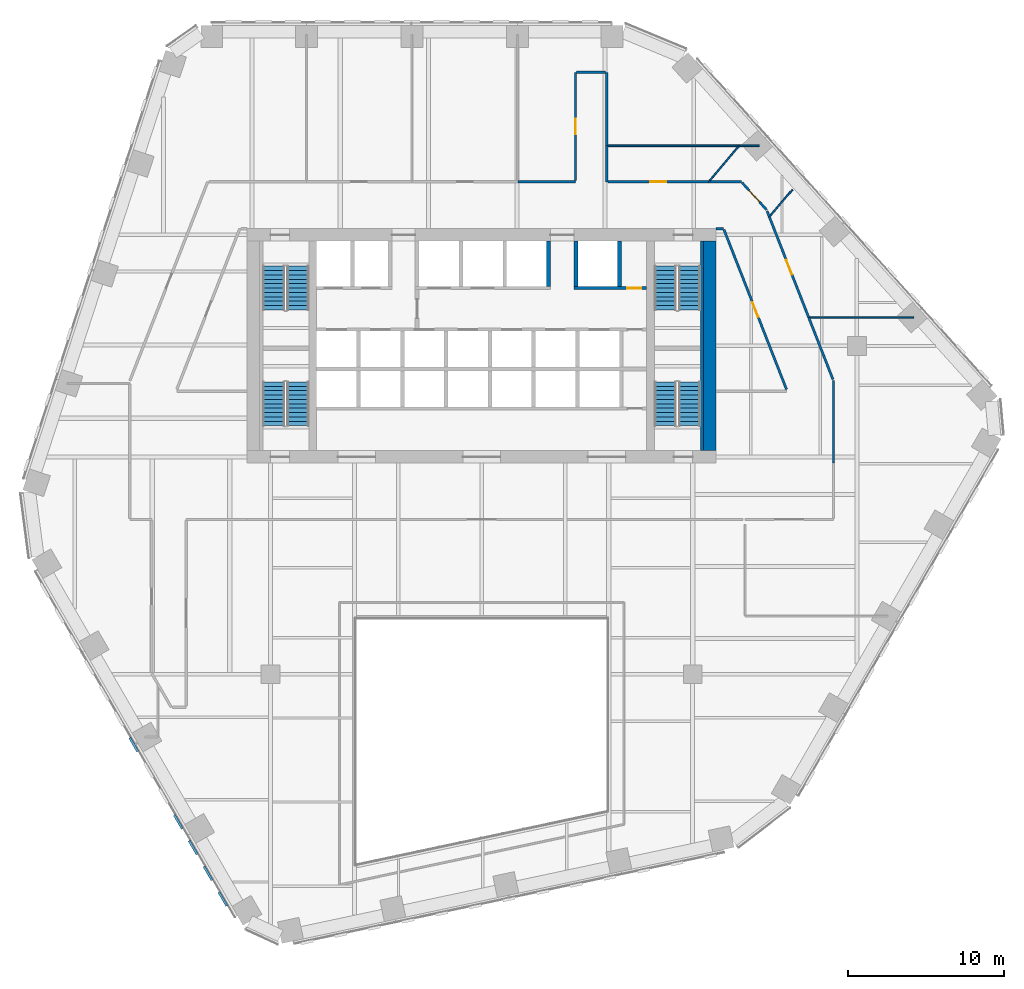
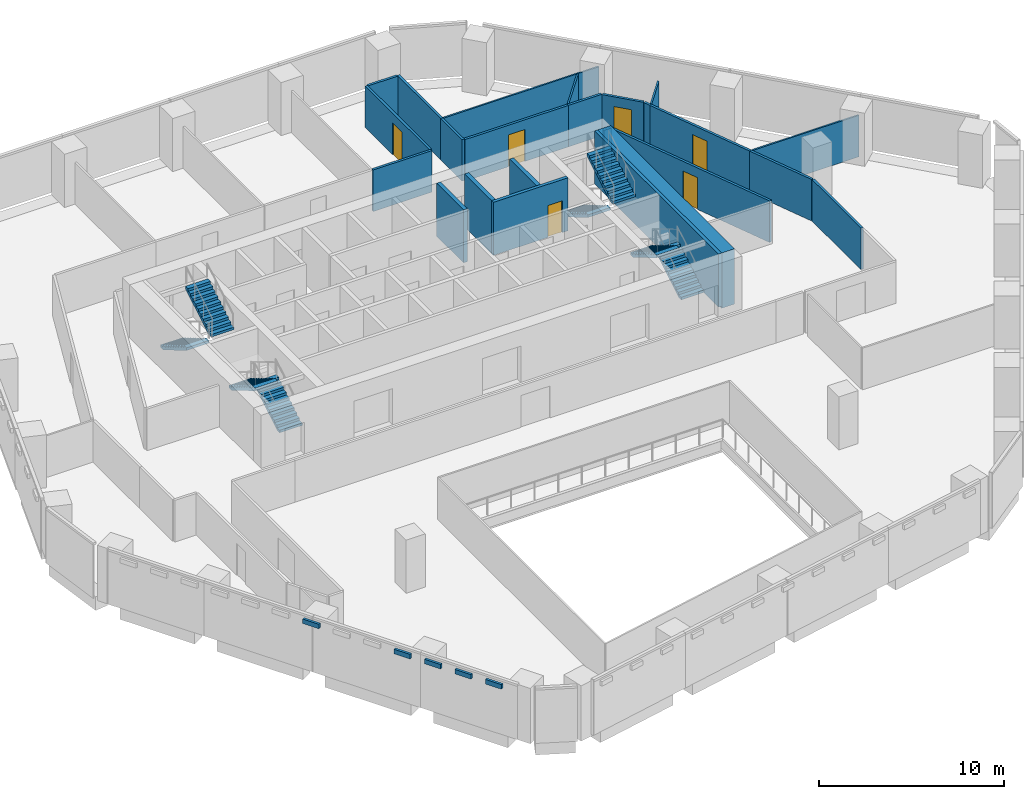
# One storey, part 13 of 17: 25 walls, 8 stair flights, 6 doors, 5 discrete accessories, 6 openings, 4 elements without a shape of their own.
"""IFC4 building model written with IfcOpenShell, lengths in metres."""

from ifc_helpers import new_model, si_unit, direction, frame, frame_2d, origin, origin_2d, place, context, subcontext, project, spatial, polyline, rectangle, outline, extrude, material, layer, layer_set, type_object, element, fill, aggregate, save


model = new_model("IFC4")

# Units and contexts
model_context = context("Model", 3, precision=1e-05, world=origin(), true_north=direction((0.0, 1.0)))
body_context = subcontext(model_context, "Body", "Model", "MODEL_VIEW")
ifc_project = project(units=[si_unit("LENGTHUNIT", "METRE"), si_unit("AREAUNIT", "SQUARE_METRE"), si_unit("VOLUMEUNIT", "CUBIC_METRE"), si_unit("PLANEANGLEUNIT", "RADIAN"), si_unit("MASSUNIT", "GRAM", prefix="KILO")], contexts=[model_context])

# Site, building, storey
site_placement = place(None, origin())
site = spatial("IfcSite", under=ifc_project, at=site_placement, CompositionType="ELEMENT")
building_placement = place(site_placement, origin())
building = spatial("IfcBuilding", under=site, at=building_placement, Name="Isthmus Gate Tower", CompositionType="ELEMENT")
storey_placement = place(building_placement, frame((0.0, 0.0, 126.14990234375)))
storey = spatial("IfcBuildingStorey", under=building, at=storey_placement, Name="L30", CompositionType="ELEMENT", Elevation=126.14990234375)

# Walls
ifc_material_1 = material(Name="Gypsum board on steel studs, fire-rated", Category="steel")
ifc_layer_1 = layer(ifc_material_1, 0.14990234375)
ifc_layer_set_1 = layer_set([ifc_layer_1], Name="CORRIDOR WALL 150 60 MIN")
wall_type_1 = type_object("IfcWallType", Name="CORRIDOR WALL 150 60 MIN", PredefinedType="PARTITIONING", material=ifc_layer_set_1)
wall_1_placement = place(storey_placement, frame((8.0, 25.0, 0.0), z_axis=(0.0, 0.0, 1.0), x_axis=(0.0, -1.0, 0.0)))
element("IfcWall", 1, at=wall_1_placement, inside=storey, type_object=wall_type_1, Name="L30 Corridor Wall 150 60 Min", PredefinedType="PARTITIONING", context=body_context, shape_type="SweptSolid", body=[
    extrude(rectangle(XDim=4.69189453125, YDim=0.14990234375, at=frame_2d((2.345947265625, 0.0))), origin(), (0.0, 0.0, 1.0), 2.7412109375),
])
wall_2_placement = place(storey_placement, frame((15.47607421875, 15.0, 0.0), z_axis=(0.0, 0.0, 1.0), x_axis=(-1.0, 0.0, 0.0)))
element("IfcWall", 2, at=wall_2_placement, inside=storey, type_object=wall_type_1, Name="L30 Corridor Wall 150 60 Min", PredefinedType="PARTITIONING", context=body_context, shape_type="SweptSolid", body=[
    extrude(rectangle(XDim=0.47607421875, YDim=0.14990234375, at=frame_2d((0.238037109375, 0.0))), origin(), (0.0, 0.0, 1.0), 2.7412109375),
])

# Wall, opening, door
wall_3_placement = place(storey_placement, frame((19.5, 4.717041015625, 0.0), z_axis=(0.0, 0.0, 1.0), x_axis=(-0.364410260026, 0.931238509936, 0.0)))
wall_3 = element("IfcWall", 3, at=wall_3_placement, inside=storey, type_object=wall_type_1, Name="L30 Corridor Wall 150 60 Min", PredefinedType="PARTITIONING", context=body_context, shape_type="SweptSolid", body=[
    extrude(rectangle(XDim=10.96728515625, YDim=0.14990234375, at=frame_2d((5.483642578125, 0.0))), origin(), (0.0, 0.0, 1.0), 2.7412109375),
])
opening_1_placement = place(wall_3_placement, frame((4.983642578125, 0.0, 0.0)))
opening_1 = element("IfcOpeningElement", 4, at=opening_1_placement, cuts=wall_3, Name="Opening DT-T3A-06", PredefinedType="OPENING", context=body_context, shape_type="SweptSolid", body=[
    extrude(rectangle(XDim=1.0, YDim=2.10009765625, at=frame_2d((0.5, 1.050048828125))), frame((0.0, 0.0849609375, 0.0), z_axis=(0.0, -1.0, 0.0), x_axis=(1.0, 0.0, 0.0)), (0.0, 0.0, 1.0), 0.169921875),
])
ifc_material_2 = material(Name="Solid core timber door leaf, fire-rated", Category="wood")
door_type_1 = type_object("IfcDoorType", Name="FIRE DOOR ROOM 1000 X 2100 60 MIN", OperationType="SINGLE_SWING_LEFT", PredefinedType="DOOR", material=ifc_material_2)
door_1_placement = place(opening_1_placement, origin())
door_1 = element("IfcDoor", 5, at=door_1_placement, inside=storey, type_object=door_type_1, Name="L30 room door", OperationType="SINGLE_SWING_RIGHT", OverallHeight=2.10009765625, OverallWidth=1.0, PredefinedType="DOOR", context=body_context, shape_type="SweptSolid", body=[
    extrude(rectangle(XDim=1.0, YDim=2.10009765625, at=frame_2d((0.5, 1.050048828125))), frame((0.0, 0.02490234375, 0.0), z_axis=(0.0, -1.0, 0.0), x_axis=(1.0, 0.0, 0.0)), (0.0, 0.0, 1.0), 0.050048828125),
])
fill(opening_1, door_1)

# Walls
wall_4_placement = place(storey_placement, frame((22.5, 5.282958984375, 0.0), z_axis=(0.0, 0.0, 1.0), x_axis=(0.0, -1.0, 0.0)))
element("IfcWall", 6, at=wall_4_placement, inside=storey, type_object=wall_type_1, Name="L30 Corridor Wall 150 60 Min", PredefinedType="PARTITIONING", context=body_context, shape_type="SweptSolid", body=[
    extrude(rectangle(XDim=5.282958984375, YDim=0.14990234375, at=frame_2d((2.6416015625, 0.0))), origin(), (0.0, 0.0, 1.0), 2.7412109375),
])
wall_5_placement = place(storey_placement, frame((8.0, 20.30810546875, 0.0), z_axis=(0.0, 0.0, 1.0), x_axis=(0.0, -1.0, 0.0)))
element("IfcWall", 7, at=wall_5_placement, inside=storey, type_object=wall_type_1, Name="L30 Corridor Wall 150 60 Min", PredefinedType="PARTITIONING", context=body_context, shape_type="SweptSolid", body=[
    extrude(rectangle(XDim=2.30810546875, YDim=0.14990234375, at=frame_2d((1.154052734375, 0.0))), origin(), (0.0, 0.0, 1.0), 2.7412109375),
])
wall_6_placement = place(storey_placement, frame((2.337890625, 18.0, 0.0), z_axis=(0.0, 0.0, 1.0), x_axis=(1.0, 0.0, 0.0)))
element("IfcWall", 8, at=wall_6_placement, inside=storey, type_object=wall_type_1, Name="L30 Corridor Wall 150 60 Min", PredefinedType="PARTITIONING", context=body_context, shape_type="SweptSolid", body=[
    extrude(rectangle(XDim=3.662109375, YDim=0.14990234375, at=frame_2d((1.8310546875, 0.0))), origin(), (0.0, 0.0, 1.0), 2.7412109375),
])

# Wall, opening, door
wall_7_placement = place(storey_placement, frame((6.0, 18.074951171875, 0.0), z_axis=(0.0, 0.0, 1.0), x_axis=(0.0, 1.0, 0.0)))
wall_7 = element("IfcWall", 9, at=wall_7_placement, inside=storey, type_object=wall_type_1, Name="L30 Corridor Wall 150 60 Min", PredefinedType="PARTITIONING", context=body_context, shape_type="SweptSolid", body=[
    extrude(rectangle(XDim=6.925048828125, YDim=0.14990234375, at=frame_2d((3.46240234375, 0.0))), origin(), (0.0, 0.0, 1.0), 2.7412109375),
])
opening_2_placement = place(wall_7_placement, frame((2.96240234375, 0.0, 0.0)))
opening_2 = element("IfcOpeningElement", 10, at=opening_2_placement, cuts=wall_7, Name="Opening DT-T3A-03", PredefinedType="OPENING", context=body_context, shape_type="SweptSolid", body=[
    extrude(rectangle(XDim=1.0, YDim=2.10009765625, at=frame_2d((0.5, 1.050048828125))), frame((0.0, 0.0849609375, 0.0), z_axis=(0.0, -1.0, 0.0), x_axis=(1.0, 0.0, 0.0)), (0.0, 0.0, 1.0), 0.169921875),
])
door_2_placement = place(opening_2_placement, origin())
door_2 = element("IfcDoor", 11, at=door_2_placement, inside=storey, type_object=door_type_1, Name="L30 room door", OperationType="SINGLE_SWING_RIGHT", OverallHeight=2.10009765625, OverallWidth=1.0, PredefinedType="DOOR", context=body_context, shape_type="SweptSolid", body=[
    extrude(rectangle(XDim=1.0, YDim=2.10009765625, at=frame_2d((0.5, 1.050048828125))), frame((0.0, 0.02490234375, 0.0), z_axis=(0.0, -1.0, 0.0), x_axis=(1.0, 0.0, 0.0)), (0.0, 0.0, 1.0), 0.050048828125),
])
fill(opening_2, door_2)

# Walls
wall_8_placement = place(storey_placement, frame((6.074951171875, 25.0, 0.0), z_axis=(0.0, 0.0, 1.0), x_axis=(1.0, 0.0, 0.0)))
element("IfcWall", 12, at=wall_8_placement, inside=storey, type_object=wall_type_1, Name="L30 Corridor Wall 150 60 Min", PredefinedType="PARTITIONING", context=body_context, shape_type="SweptSolid", body=[
    extrude(rectangle(XDim=1.85009765625, YDim=0.14990234375, at=frame_2d((0.925048828125, 0.0))), origin(), (0.0, 0.0, 1.0), 2.7412109375),
])
wall_9_placement = place(storey_placement, frame((20.9189453125, 9.322998046875, 0.0), z_axis=(0.0, 0.0, 1.0), x_axis=(0.364429576393, -0.931230950865, 0.0)))
element("IfcWall", 13, at=wall_9_placement, inside=storey, type_object=wall_type_1, Name="L30 Corridor Wall 150 60 Min", PredefinedType="PARTITIONING", context=body_context, shape_type="SweptSolid", body=[
    extrude(rectangle(XDim=4.263427734375, YDim=0.14990234375, at=frame_2d((2.1318359375, 0.0))), origin(), (0.0, 0.0, 1.0), 2.7412109375),
])

# Wall, opening, door
wall_10_placement = place(storey_placement, frame((18.39990234375, 15.760009765625, 0.0), z_axis=(0.0, 0.0, 1.0), x_axis=(0.364425982763, -0.931232357195, 0.0)))
wall_10 = element("IfcWall", 14, at=wall_10_placement, inside=storey, type_object=wall_type_1, Name="L30 Corridor Wall 150 60 Min", PredefinedType="PARTITIONING", context=body_context, shape_type="SweptSolid", body=[
    extrude(rectangle(XDim=6.912353515625, YDim=0.14990234375, at=frame_2d((3.4560546875, 0.0))), origin(), (0.0, 0.0, 1.0), 2.7412109375),
])
opening_3_placement = place(wall_10_placement, frame((2.956298828125, 0.0, 0.0)))
opening_3 = element("IfcOpeningElement", 15, at=opening_3_placement, cuts=wall_10, Name="Opening DT-T3A-11", PredefinedType="OPENING", context=body_context, shape_type="SweptSolid", body=[
    extrude(rectangle(XDim=1.0, YDim=2.10009765625, at=frame_2d((0.5, 1.050048828125))), frame((0.0, 0.0849609375, 0.0), z_axis=(0.0, -1.0, 0.0), x_axis=(1.0, 0.0, 0.0)), (0.0, 0.0, 1.0), 0.169921875),
])
door_3_placement = place(opening_3_placement, origin())
door_3 = element("IfcDoor", 16, at=door_3_placement, inside=storey, type_object=door_type_1, Name="L30 room door", OperationType="SINGLE_SWING_RIGHT", OverallHeight=2.10009765625, OverallWidth=1.0, PredefinedType="DOOR", context=body_context, shape_type="SweptSolid", body=[
    extrude(rectangle(XDim=1.0, YDim=2.10009765625, at=frame_2d((0.5, 1.050048828125))), frame((0.0, 0.02490234375, 0.0), z_axis=(0.0, -1.0, 0.0), x_axis=(1.0, 0.0, 0.0)), (0.0, 0.0, 1.0), 0.050048828125),
])
fill(opening_3, door_3)

# Wall
wall_11_placement = place(storey_placement, frame((14.51708984375, 18.0, 0.0), z_axis=(0.0, 0.0, 1.0), x_axis=(1.0, 0.0, 0.0)))
element("IfcWall", 17, at=wall_11_placement, inside=storey, type_object=wall_type_1, Name="L30 Corridor Wall 150 60 Min", PredefinedType="PARTITIONING", context=body_context, shape_type="SweptSolid", body=[
    extrude(rectangle(XDim=2.093017578125, YDim=0.14990234375, at=frame_2d((1.04638671875, 0.0))), origin(), (0.0, 0.0, 1.0), 2.7412109375),
])

# Wall, opening, door
wall_12_placement = place(storey_placement, frame((16.66015625, 17.9443359375, 0.0), z_axis=(0.0, 0.0, 1.0), x_axis=(0.669103043777, -0.743169642012, 0.0)))
wall_12 = element("IfcWall", 18, at=wall_12_placement, inside=storey, type_object=wall_type_1, Name="L30 Corridor Wall 150 60 Min", PredefinedType="PARTITIONING", context=body_context, shape_type="SweptSolid", body=[
    extrude(rectangle(XDim=2.34033203125, YDim=0.14990234375, at=frame_2d((1.170166015625, 0.0))), origin(), (0.0, 0.0, 1.0), 2.7412109375),
])
opening_4_placement = place(wall_12_placement, frame((0.670166015625, 0.0, 0.0)))
opening_4 = element("IfcOpeningElement", 19, at=opening_4_placement, cuts=wall_12, Name="Opening DT-T3A-12", PredefinedType="OPENING", context=body_context, shape_type="SweptSolid", body=[
    extrude(rectangle(XDim=1.0, YDim=2.10009765625, at=frame_2d((0.5, 1.050048828125))), frame((0.0, 0.0849609375, 0.0), z_axis=(0.0, -1.0, 0.0), x_axis=(1.0, 0.0, 0.0)), (0.0, 0.0, 1.0), 0.169921875),
])
door_4_placement = place(opening_4_placement, origin())
door_4 = element("IfcDoor", 20, at=door_4_placement, inside=storey, type_object=door_type_1, Name="L30 room door", OperationType="SINGLE_SWING_RIGHT", OverallHeight=2.10009765625, OverallWidth=1.0, PredefinedType="DOOR", context=body_context, shape_type="SweptSolid", body=[
    extrude(rectangle(XDim=1.0, YDim=2.10009765625, at=frame_2d((0.5, 1.050048828125))), frame((0.0, 0.02490234375, 0.0), z_axis=(0.0, -1.0, 0.0), x_axis=(1.0, 0.0, 0.0)), (0.0, 0.0, 1.0), 0.050048828125),
])
fill(opening_4, door_4)

# Wall
wall_13_placement = place(storey_placement, frame((18.25341796875, 16.135009765625, 0.0), z_axis=(0.0, 0.0, 1.0), x_axis=(0.36385052714, -0.93145734948, 0.0)))
element("IfcWall", 21, at=wall_13_placement, inside=storey, type_object=wall_type_1, Name="L30 Corridor Wall 150 60 Min", PredefinedType="PARTITIONING", context=body_context, shape_type="SweptSolid", body=[
    extrude(rectangle(XDim=0.402587890625, YDim=0.14990234375, at=frame_2d((0.201171875, 0.0))), origin(), (0.0, 0.0, 1.0), 2.7412109375),
])

# Wall, opening, door
wall_14_placement = place(storey_placement, frame((8.074951171875, 18.0, 0.0), z_axis=(0.0, 0.0, 1.0), x_axis=(1.0, 0.0, 0.0)))
wall_14 = element("IfcWall", 22, at=wall_14_placement, inside=storey, type_object=wall_type_1, Name="L30 Corridor Wall 150 60 Min", PredefinedType="PARTITIONING", context=body_context, shape_type="SweptSolid", body=[
    extrude(rectangle(XDim=6.442138671875, YDim=0.14990234375, at=frame_2d((3.22119140625, 0.0))), origin(), (0.0, 0.0, 1.0), 2.7412109375),
])
opening_5_placement = place(wall_14_placement, frame((2.720947265625, 0.0, 0.0)))
opening_5 = element("IfcOpeningElement", 23, at=opening_5_placement, cuts=wall_14, Name="Opening DT-T3A-13", PredefinedType="OPENING", context=body_context, shape_type="SweptSolid", body=[
    extrude(rectangle(XDim=1.0, YDim=2.10009765625, at=frame_2d((0.5, 1.050048828125))), frame((0.0, 0.0849609375, 0.0), z_axis=(0.0, -1.0, 0.0), x_axis=(1.0, 0.0, 0.0)), (0.0, 0.0, 1.0), 0.169921875),
])
door_5_placement = place(opening_5_placement, origin())
door_5 = element("IfcDoor", 24, at=door_5_placement, inside=storey, type_object=door_type_1, Name="L30 room door", OperationType="SINGLE_SWING_RIGHT", OverallHeight=2.10009765625, OverallWidth=1.0, PredefinedType="DOOR", context=body_context, shape_type="SweptSolid", body=[
    extrude(rectangle(XDim=1.0, YDim=2.10009765625, at=frame_2d((0.5, 1.050048828125))), frame((0.0, 0.02490234375, 0.0), z_axis=(0.0, -1.0, 0.0), x_axis=(1.0, 0.0, 0.0)), (0.0, 0.0, 1.0), 0.050048828125),
])
fill(opening_5, door_5)

# Walls
ifc_material_3 = material(Name="Concrete f'c 60 MPa", Category="concrete")
ifc_layer_2 = layer(ifc_material_3, 0.800048828125)
ifc_layer_set_2 = layer_set([ifc_layer_2], Name="RC CORE WALL 800 F'C 60")
wall_type_2 = type_object("IfcWallType", Name="RC CORE WALL 800 F'C 60", PredefinedType="SOLIDWALL", material=ifc_layer_set_2)
wall_15_placement = place(storey_placement, frame((14.60009765625, 0.800048828125, -0.14990234375), z_axis=(0.0, 0.0, 1.0), x_axis=(0.0, 1.0, 0.0)))
element("IfcWall", 25, at=wall_15_placement, inside=storey, type_object=wall_type_2, Name="str-corewall-L30-E", PredefinedType="SOLIDWALL", context=body_context, shape_type="SweptSolid", body=[
    extrude(rectangle(XDim=13.39990234375, YDim=0.800048828125, at=frame_2d((6.699951171875, 0.0))), origin(), (0.0, 0.0, 1.0), 3.64990234375),
])
ifc_material_4 = material(Name="Gypsum board on steel studs, fire-rated", Category="steel")
ifc_layer_3 = layer(ifc_material_4, 0.10009765625)
ifc_layer_set_3 = layer_set([ifc_layer_3], Name="ROOM PARTITION 100 30 MIN")
wall_type_3 = type_object("IfcWallType", Name="ROOM PARTITION 100 30 MIN", PredefinedType="PARTITIONING", material=ifc_layer_set_3)
wall_16_placement = place(storey_placement, frame((16.47900390625, 20.30810546875, 0.0), z_axis=(0.0, 0.0, 1.0), x_axis=(1.0, 0.0, 0.0)))
element("IfcWall", 26, at=wall_16_placement, inside=storey, type_object=wall_type_3, Name="L30 Room Partition 100 30 Min", PredefinedType="PARTITIONING", context=body_context, shape_type="SweptSolid", body=[
    extrude(rectangle(XDim=1.282958984375, YDim=0.10009765625, at=frame_2d((0.6416015625, 0.0))), origin(), (0.0, 0.0, 1.0), 2.7412109375),
])
wall_17_placement = place(storey_placement, frame((8.074951171875, 20.30810546875, 0.0), z_axis=(0.0, 0.0, 1.0), x_axis=(1.0, 0.0, 0.0)))
element("IfcWall", 27, at=wall_17_placement, inside=storey, type_object=wall_type_3, Name="L30 Room Partition 100 30 Min", PredefinedType="PARTITIONING", context=body_context, shape_type="SweptSolid", body=[
    extrude(rectangle(XDim=8.404052734375, YDim=0.10009765625, at=frame_2d((4.2021484375, 0.0))), origin(), (0.0, 0.0, 1.0), 2.7412109375),
])
wall_18_placement = place(storey_placement, frame((20.99951171875, 9.322998046875, 0.0), z_axis=(0.0, 0.0, 1.0), x_axis=(1.0, 0.0, 0.0)))
element("IfcWall", 28, at=wall_18_placement, inside=storey, type_object=wall_type_3, Name="L30 Room Partition 100 30 Min", PredefinedType="PARTITIONING", context=body_context, shape_type="SweptSolid", body=[
    extrude(rectangle(XDim=6.652587890625, YDim=0.10009765625, at=frame_2d((3.326171875, 0.0))), origin(), (0.0, 0.0, 1.0), 2.7412109375),
])
wall_19_placement = place(storey_placement, frame((18.455078125, 15.824951171875, 0.0), z_axis=(0.0, 0.0, 1.0), x_axis=(0.647780060511, 0.761827403815, 0.0)))
element("IfcWall", 29, at=wall_19_placement, inside=storey, type_object=wall_type_3, Name="L30 Room Partition 100 30 Min", PredefinedType="PARTITIONING", context=body_context, shape_type="SweptSolid", body=[
    extrude(rectangle(XDim=2.20703125, YDim=0.10009765625, at=frame_2d((1.103515625, 0.0))), origin(), (0.0, 0.0, 1.0), 2.7412109375),
])
wall_20_placement = place(storey_placement, frame((14.580810546875, 18.074951171875, 0.0), z_axis=(0.0, 0.0, 1.0), x_axis=(0.6476632602, 0.761926703422, 0.0)))
element("IfcWall", 30, at=wall_20_placement, inside=storey, type_object=wall_type_3, Name="L30 Room Partition 100 30 Min", PredefinedType="PARTITIONING", context=body_context, shape_type="SweptSolid", body=[
    extrude(rectangle(XDim=2.865234375, YDim=0.10009765625, at=frame_2d((1.4326171875, 0.0))), origin(), (0.0, 0.0, 1.0), 2.7412109375),
])

# Wall, opening, door
ifc_material_5 = material(Name="Fire-rated blockwork masonry, 15 MPa", Category="masonry")
ifc_layer_4 = layer(ifc_material_5, 0.199951171875)
ifc_layer_set_4 = layer_set([ifc_layer_4], Name="SHAFT FRONT WALL 200 120 MIN")
wall_type_4 = type_object("IfcWallType", Name="SHAFT FRONT WALL 200 120 MIN", PredefinedType="PARTITIONING", material=ifc_layer_set_4)
wall_21_placement = place(storey_placement, frame((5.89990234375, 11.199951171875, 0.0), z_axis=(0.0, 0.0, 1.0), x_axis=(1.0, 0.0, 0.0)))
wall_21 = element("IfcWall", 31, at=wall_21_placement, inside=storey, type_object=wall_type_4, Name="L30 SHAFT FRONT WALL 200 120 MIN", PredefinedType="PARTITIONING", context=body_context, shape_type="SweptSolid", body=[
    extrude(rectangle(XDim=4.650146484375, YDim=0.199951171875, at=frame_2d((2.3251953125, 0.0))), origin(), (0.0, 0.0, 1.0), 3.5),
])
opening_6_placement = place(wall_21_placement, frame((3.39990234375, 0.0, 0.0)))
opening_6 = element("IfcOpeningElement", 32, at=opening_6_placement, cuts=wall_21, Name="Opening DC-A09-04", PredefinedType="OPENING", context=body_context, shape_type="SweptSolid", body=[
    extrude(rectangle(XDim=0.89990234375, YDim=2.10009765625, at=frame_2d((0.449951171875, 1.050048828125))), frame((0.0, 0.10986328125, 0.0), z_axis=(0.0, -1.0, 0.0), x_axis=(1.0, 0.0, 0.0)), (0.0, 0.0, 1.0), 0.219970703125),
])
ifc_material_6 = material(Name="Steel door leaf, fire-rated", Category="steel")
door_type_2 = type_object("IfcDoorType", Name="RISER FIRE DOOR 900 X 2100 90 MIN", OperationType="SINGLE_SWING_LEFT", PredefinedType="DOOR", material=ifc_material_6)
door_6_placement = place(opening_6_placement, origin())
door_6 = element("IfcDoor", 33, at=door_6_placement, inside=storey, type_object=door_type_2, Name="Riser Door", OperationType="SINGLE_SWING_LEFT", OverallHeight=2.10009765625, OverallWidth=0.89990234375, PredefinedType="DOOR", context=body_context, shape_type="SweptSolid", body=[
    extrude(rectangle(XDim=0.89990234375, YDim=2.10009765625, at=frame_2d((0.449951171875, 1.050048828125))), frame((0.0, 0.02490234375, 0.0), z_axis=(0.0, -1.0, 0.0), x_axis=(1.0, 0.0, 0.0)), (0.0, 0.0, 1.0), 0.050048828125),
])
fill(opening_6, door_6)

# Walls
ifc_material_7 = material(Name="Fire-rated blockwork masonry, 15 MPa", Category="masonry")
ifc_layer_5 = layer(ifc_material_7, 0.25)
ifc_layer_set_5 = layer_set([ifc_layer_5], Name="SHAFT WALL 250 120 MIN")
wall_type_5 = type_object("IfcWallType", Name="SHAFT WALL 250 120 MIN", PredefinedType="PARTITIONING", material=ifc_layer_set_5)
for number, where, z_axis, x_axis, name in (
    (34, (4.27490234375, 11.300048828125, 0.0), (0.0, 0.0, 1.0), (0.0, 1.0, 0.0), "L30 SHAFT WALL 250 120 MIN"),
    (35, (6.02490234375, 11.300048828125, 0.0), (0.0, 0.0, 1.0), (0.0, 1.0, 0.0), "L30 SHAFT WALL 250 120 MIN"),
    (36, (8.824951171875, 11.300048828125, 0.0), (0.0, 0.0, 1.0), (0.0, 1.0, 0.0), "L30 SHAFT WALL 250 120 MIN"),
):
    element("IfcWall", number, at=place(storey_placement, frame(where, z_axis=z_axis, x_axis=x_axis)), inside=storey, type_object=wall_type_5, Name=name, PredefinedType="PARTITIONING", context=body_context, shape_type="SweptSolid", body=[
        extrude(rectangle(XDim=2.89990234375, YDim=0.25, at=frame_2d((1.449951171875, 0.0))), origin(), (0.0, 0.0, 1.0), 3.5),
    ])
ifc_material_8 = material(Name="Concrete f'c 40 MPa", Category="concrete")
ifc_layer_6 = layer(ifc_material_8, 0.199951171875)
ifc_layer_set_6 = layer_set([ifc_layer_6], Name="STAIR ENCLOSURE WALL 200 180 MIN")
wall_type_6 = type_object("IfcWallType", Name="STAIR ENCLOSURE WALL 200 180 MIN", PredefinedType="SOLIDWALL", material=ifc_layer_set_6)
wall_22_placement = place(storey_placement, frame((14.10009765625, 0.800048828125, 0.0), z_axis=(0.0, 0.0, 1.0), x_axis=(0.0, 1.0, 0.0)))
element("IfcWall", 37, at=wall_22_placement, inside=storey, type_object=wall_type_6, Name="L30 STAIR ENCLOSURE WALL 200 180 MIN", PredefinedType="SOLIDWALL", context=body_context, shape_type="SweptSolid", body=[
    extrude(rectangle(XDim=13.39990234375, YDim=0.199951171875, at=frame_2d((6.699951171875, 0.0))), origin(), (0.0, 0.0, 1.0), 3.5),
])

# Stair, stair flights
ifc_material_9 = material(Name="Concrete f'c 40 MPa", Category="concrete")
stair_type = type_object("IfcStairType", Name="CORE STAIR 22 RISERS", PredefinedType="HALF_TURN_STAIR", material=ifc_material_9)
stair_1_placement = place(storey_placement, origin())
stair_1 = element("IfcStair", 38, at=stair_1_placement, inside=storey, type_object=stair_type, Name="L30 Exit Stair 1", PredefinedType="HALF_TURN_STAIR")
ifc_material_10 = material(Name="Concrete f'c 40 MPa", Category="concrete")
stair_flight_type = type_object("IfcStairFlightType", Name="STAIR FLIGHT RC 1400", PredefinedType="STRAIGHT", material=ifc_material_10)
stair_flight_1_placement = place(storey_placement, frame((-13.300048828125, 12.60009765625, 0.0), z_axis=(0.0, 0.0, 1.0), x_axis=(0.0, -1.0, 0.0)))
stair_flight_1 = element("IfcStairFlight", 39, at=stair_flight_1_placement, type_object=stair_flight_type, Name="ST1 flight 1", NumberOfRisers=11, NumberOfTreads=10, PredefinedType="STRAIGHT", RiserHeight=0.165909091, TreadLength=0.28, context=body_context, shape_type="SweptSolid", body=[
    extrude(outline(polyline([(0.0, 0.0), (0.0, 0.166015625), (0.280029296875, 0.166015625), (0.280029296875, 0.331787109375), (0.56005859375, 0.331787109375), (0.56005859375, 0.497802734375), (0.840087890625, 0.497802734375), (0.840087890625, 0.66357421875), (1.1201171875, 0.66357421875), (1.1201171875, 0.82958984375), (1.39990234375, 0.82958984375), (1.39990234375, 0.995361328125), (1.679931640625, 0.995361328125), (1.679931640625, 1.161376953125), (1.9599609375, 1.161376953125), (1.9599609375, 1.327392578125), (2.239990234375, 1.327392578125), (2.239990234375, 1.4931640625), (2.52001953125, 1.4931640625), (2.52001953125, 1.6591796875), (2.800048828125, 1.6591796875), (2.800048828125, 1.824951171875), (2.800048828125, 1.48486328125), (0.2939453125, 0.0), (0.0, 0.0)])), frame((0.0, 0.699951171875, 0.0), z_axis=(0.0, -1.0, 0.0), x_axis=(1.0, 0.0, 0.0)), (0.0, 0.0, 1.0), 1.39990234375),
])
stair_flight_2_placement = place(storey_placement, frame((-11.75, 9.800048828125, 1.8251953125), z_axis=(0.0, 0.0, 1.0), x_axis=(0.0, 1.0, 0.0)))
stair_flight_2 = element("IfcStairFlight", 40, at=stair_flight_2_placement, type_object=stair_flight_type, Name="ST1 flight 2", NumberOfRisers=11, NumberOfTreads=10, PredefinedType="STRAIGHT", RiserHeight=0.165909091, TreadLength=0.28, context=body_context, shape_type="SweptSolid", body=[
    extrude(outline(polyline([(0.0, 0.0), (0.0, 0.166015625), (0.280029296875, 0.166015625), (0.280029296875, 0.331787109375), (0.56005859375, 0.331787109375), (0.56005859375, 0.497802734375), (0.840087890625, 0.497802734375), (0.840087890625, 0.66357421875), (1.1201171875, 0.66357421875), (1.1201171875, 0.82958984375), (1.39990234375, 0.82958984375), (1.39990234375, 0.995361328125), (1.679931640625, 0.995361328125), (1.679931640625, 1.161376953125), (1.9599609375, 1.161376953125), (1.9599609375, 1.327392578125), (2.239990234375, 1.327392578125), (2.239990234375, 1.4931640625), (2.52001953125, 1.4931640625), (2.52001953125, 1.6591796875), (2.800048828125, 1.6591796875), (2.800048828125, 1.824951171875), (2.800048828125, 1.48486328125), (0.2939453125, 0.0), (0.0, 0.0)])), frame((0.0, 0.699951171875, 0.0), z_axis=(0.0, -1.0, 0.0), x_axis=(1.0, 0.0, 0.0)), (0.0, 0.0, 1.0), 1.39990234375),
])
aggregate(stair_1, [stair_flight_1, stair_flight_2])

stair_2_placement = place(storey_placement, origin())
stair_2 = element("IfcStair", 41, at=stair_2_placement, inside=storey, type_object=stair_type, Name="L30 Exit Stair 2", PredefinedType="HALF_TURN_STAIR")
stair_flight_3_placement = place(storey_placement, frame((11.75, 12.60009765625, 0.0), z_axis=(0.0, 0.0, 1.0), x_axis=(0.0, -1.0, 0.0)))
stair_flight_3 = element("IfcStairFlight", 42, at=stair_flight_3_placement, type_object=stair_flight_type, Name="ST2 flight 1", NumberOfRisers=11, NumberOfTreads=10, PredefinedType="STRAIGHT", RiserHeight=0.165909091, TreadLength=0.28, context=body_context, shape_type="SweptSolid", body=[
    extrude(outline(polyline([(0.0, 0.0), (0.0, 0.166015625), (0.280029296875, 0.166015625), (0.280029296875, 0.331787109375), (0.56005859375, 0.331787109375), (0.56005859375, 0.497802734375), (0.840087890625, 0.497802734375), (0.840087890625, 0.66357421875), (1.1201171875, 0.66357421875), (1.1201171875, 0.82958984375), (1.39990234375, 0.82958984375), (1.39990234375, 0.995361328125), (1.679931640625, 0.995361328125), (1.679931640625, 1.161376953125), (1.9599609375, 1.161376953125), (1.9599609375, 1.327392578125), (2.239990234375, 1.327392578125), (2.239990234375, 1.4931640625), (2.52001953125, 1.4931640625), (2.52001953125, 1.6591796875), (2.800048828125, 1.6591796875), (2.800048828125, 1.824951171875), (2.800048828125, 1.48486328125), (0.2939453125, 0.0), (0.0, 0.0)])), frame((0.0, 0.699951171875, 0.0), z_axis=(0.0, -1.0, 0.0), x_axis=(1.0, 0.0, 0.0)), (0.0, 0.0, 1.0), 1.39990234375),
])
stair_flight_4_placement = place(storey_placement, frame((13.300048828125, 9.800048828125, 1.8251953125), z_axis=(0.0, 0.0, 1.0), x_axis=(0.0, 1.0, 0.0)))
stair_flight_4 = element("IfcStairFlight", 43, at=stair_flight_4_placement, type_object=stair_flight_type, Name="ST2 flight 2", NumberOfRisers=11, NumberOfTreads=10, PredefinedType="STRAIGHT", RiserHeight=0.165909091, TreadLength=0.28, context=body_context, shape_type="SweptSolid", body=[
    extrude(outline(polyline([(0.0, 0.0), (0.0, 0.166015625), (0.280029296875, 0.166015625), (0.280029296875, 0.331787109375), (0.56005859375, 0.331787109375), (0.56005859375, 0.497802734375), (0.840087890625, 0.497802734375), (0.840087890625, 0.66357421875), (1.1201171875, 0.66357421875), (1.1201171875, 0.82958984375), (1.39990234375, 0.82958984375), (1.39990234375, 0.995361328125), (1.679931640625, 0.995361328125), (1.679931640625, 1.161376953125), (1.9599609375, 1.161376953125), (1.9599609375, 1.327392578125), (2.239990234375, 1.327392578125), (2.239990234375, 1.4931640625), (2.52001953125, 1.4931640625), (2.52001953125, 1.6591796875), (2.800048828125, 1.6591796875), (2.800048828125, 1.824951171875), (2.800048828125, 1.48486328125), (0.2939453125, 0.0), (0.0, 0.0)])), frame((0.0, 0.699951171875, 0.0), z_axis=(0.0, -1.0, 0.0), x_axis=(1.0, 0.0, 0.0)), (0.0, 0.0, 1.0), 1.39990234375),
])
aggregate(stair_2, [stair_flight_3, stair_flight_4])

stair_3_placement = place(storey_placement, origin())
stair_3 = element("IfcStair", 44, at=stair_3_placement, inside=storey, type_object=stair_type, Name="L30 Exit Stair 7", PredefinedType="HALF_TURN_STAIR")
stair_flight_5_placement = place(storey_placement, frame((-11.75, 2.39990234375, 0.0), z_axis=(0.0, 0.0, 1.0), x_axis=(0.0, 1.0, 0.0)))
stair_flight_5 = element("IfcStairFlight", 45, at=stair_flight_5_placement, type_object=stair_flight_type, Name="ST7 flight 1", NumberOfRisers=11, NumberOfTreads=10, PredefinedType="STRAIGHT", RiserHeight=0.165909091, TreadLength=0.28, context=body_context, shape_type="SweptSolid", body=[
    extrude(outline(polyline([(0.0, 0.0), (0.0, 0.166015625), (0.280029296875, 0.166015625), (0.280029296875, 0.331787109375), (0.56005859375, 0.331787109375), (0.56005859375, 0.497802734375), (0.840087890625, 0.497802734375), (0.840087890625, 0.66357421875), (1.1201171875, 0.66357421875), (1.1201171875, 0.82958984375), (1.39990234375, 0.82958984375), (1.39990234375, 0.995361328125), (1.679931640625, 0.995361328125), (1.679931640625, 1.161376953125), (1.9599609375, 1.161376953125), (1.9599609375, 1.327392578125), (2.239990234375, 1.327392578125), (2.239990234375, 1.4931640625), (2.52001953125, 1.4931640625), (2.52001953125, 1.6591796875), (2.800048828125, 1.6591796875), (2.800048828125, 1.824951171875), (2.800048828125, 1.48486328125), (0.2939453125, 0.0), (0.0, 0.0)])), frame((0.0, 0.699951171875, 0.0), z_axis=(0.0, -1.0, 0.0), x_axis=(1.0, 0.0, 0.0)), (0.0, 0.0, 1.0), 1.39990234375),
])
stair_flight_6_placement = place(storey_placement, frame((-13.300048828125, 5.199951171875, 1.8251953125), z_axis=(0.0, 0.0, 1.0), x_axis=(0.0, -1.0, 0.0)))
stair_flight_6 = element("IfcStairFlight", 46, at=stair_flight_6_placement, type_object=stair_flight_type, Name="ST7 flight 2", NumberOfRisers=11, NumberOfTreads=10, PredefinedType="STRAIGHT", RiserHeight=0.165909091, TreadLength=0.28, context=body_context, shape_type="SweptSolid", body=[
    extrude(outline(polyline([(0.0, 0.0), (0.0, 0.166015625), (0.280029296875, 0.166015625), (0.280029296875, 0.331787109375), (0.56005859375, 0.331787109375), (0.56005859375, 0.497802734375), (0.840087890625, 0.497802734375), (0.840087890625, 0.66357421875), (1.1201171875, 0.66357421875), (1.1201171875, 0.82958984375), (1.39990234375, 0.82958984375), (1.39990234375, 0.995361328125), (1.679931640625, 0.995361328125), (1.679931640625, 1.161376953125), (1.9599609375, 1.161376953125), (1.9599609375, 1.327392578125), (2.239990234375, 1.327392578125), (2.239990234375, 1.4931640625), (2.52001953125, 1.4931640625), (2.52001953125, 1.6591796875), (2.800048828125, 1.6591796875), (2.800048828125, 1.824951171875), (2.800048828125, 1.48486328125), (0.2939453125, 0.0), (0.0, 0.0)])), frame((0.0, 0.699951171875, 0.0), z_axis=(0.0, -1.0, 0.0), x_axis=(1.0, 0.0, 0.0)), (0.0, 0.0, 1.0), 1.39990234375),
])
aggregate(stair_3, [stair_flight_5, stair_flight_6])

stair_4_placement = place(storey_placement, origin())
stair_4 = element("IfcStair", 47, at=stair_4_placement, inside=storey, type_object=stair_type, Name="L30 Exit Stair 8", PredefinedType="HALF_TURN_STAIR")
stair_flight_7_placement = place(storey_placement, frame((13.300048828125, 2.39990234375, 0.0), z_axis=(0.0, 0.0, 1.0), x_axis=(0.0, 1.0, 0.0)))
stair_flight_7 = element("IfcStairFlight", 48, at=stair_flight_7_placement, type_object=stair_flight_type, Name="ST8 flight 1", NumberOfRisers=11, NumberOfTreads=10, PredefinedType="STRAIGHT", RiserHeight=0.165909091, TreadLength=0.28, context=body_context, shape_type="SweptSolid", body=[
    extrude(outline(polyline([(0.0, 0.0), (0.0, 0.166015625), (0.280029296875, 0.166015625), (0.280029296875, 0.331787109375), (0.56005859375, 0.331787109375), (0.56005859375, 0.497802734375), (0.840087890625, 0.497802734375), (0.840087890625, 0.66357421875), (1.1201171875, 0.66357421875), (1.1201171875, 0.82958984375), (1.39990234375, 0.82958984375), (1.39990234375, 0.995361328125), (1.679931640625, 0.995361328125), (1.679931640625, 1.161376953125), (1.9599609375, 1.161376953125), (1.9599609375, 1.327392578125), (2.239990234375, 1.327392578125), (2.239990234375, 1.4931640625), (2.52001953125, 1.4931640625), (2.52001953125, 1.6591796875), (2.800048828125, 1.6591796875), (2.800048828125, 1.824951171875), (2.800048828125, 1.48486328125), (0.2939453125, 0.0), (0.0, 0.0)])), frame((0.0, 0.699951171875, 0.0), z_axis=(0.0, -1.0, 0.0), x_axis=(1.0, 0.0, 0.0)), (0.0, 0.0, 1.0), 1.39990234375),
])
stair_flight_8_placement = place(storey_placement, frame((11.75, 5.199951171875, 1.8251953125), z_axis=(0.0, 0.0, 1.0), x_axis=(0.0, -1.0, 0.0)))
stair_flight_8 = element("IfcStairFlight", 49, at=stair_flight_8_placement, type_object=stair_flight_type, Name="ST8 flight 2", NumberOfRisers=11, NumberOfTreads=10, PredefinedType="STRAIGHT", RiserHeight=0.165909091, TreadLength=0.28, context=body_context, shape_type="SweptSolid", body=[
    extrude(outline(polyline([(0.0, 0.0), (0.0, 0.166015625), (0.280029296875, 0.166015625), (0.280029296875, 0.331787109375), (0.56005859375, 0.331787109375), (0.56005859375, 0.497802734375), (0.840087890625, 0.497802734375), (0.840087890625, 0.66357421875), (1.1201171875, 0.66357421875), (1.1201171875, 0.82958984375), (1.39990234375, 0.82958984375), (1.39990234375, 0.995361328125), (1.679931640625, 0.995361328125), (1.679931640625, 1.161376953125), (1.9599609375, 1.161376953125), (1.9599609375, 1.327392578125), (2.239990234375, 1.327392578125), (2.239990234375, 1.4931640625), (2.52001953125, 1.4931640625), (2.52001953125, 1.6591796875), (2.800048828125, 1.6591796875), (2.800048828125, 1.824951171875), (2.800048828125, 1.48486328125), (0.2939453125, 0.0), (0.0, 0.0)])), frame((0.0, 0.699951171875, 0.0), z_axis=(0.0, -1.0, 0.0), x_axis=(1.0, 0.0, 0.0)), (0.0, 0.0, 1.0), 1.39990234375),
])
aggregate(stair_4, [stair_flight_7, stair_flight_8])

# Discrete accessories
ifc_material_11 = material(Name="Structural steel ASTM A572 Gr 50, white paint system", Category="steel")
discrete_accessory_type = type_object("IfcDiscreteAccessoryType", Name="FIN BRACKET 1016 X 150 X 300", PredefinedType="BRACKET", material=ifc_material_11)
for number, where, z_axis, x_axis, name in (
    (50, (-22.256103515625, -18.00146484375, 3.10009765625), (0.0, 0.0, 1.0), (-0.866025403784, -0.5, 0.0), "FIN BRACKET"),
    (51, (-19.406005859375, -22.937744140625, 3.10009765625), (0.0, 0.0, 1.0), (-0.866025403784, -0.5, 0.0), "FIN BRACKET"),
    (52, (-18.4560546875, -24.583251953125, 3.10009765625), (0.0, 0.0, 1.0), (-0.866025403784, -0.5, 0.0), "FIN BRACKET"),
    (53, (-17.506103515625, -26.228759765625, 3.10009765625), (0.0, 0.0, 1.0), (-0.866025403784, -0.5, 0.0), "FIN BRACKET"),
    (54, (-16.555908203125, -27.8740234375, 3.10009765625), (0.0, 0.0, 1.0), (-0.866025403784, -0.5, 0.0), "FIN BRACKET"),
):
    element("IfcDiscreteAccessory", number, at=place(storey_placement, frame(where, z_axis=z_axis, x_axis=x_axis)), inside=storey, type_object=discrete_accessory_type, Name=name, PredefinedType="BRACKET", context=body_context, shape_type="SweptSolid", body=[
        extrude(rectangle(XDim=0.14990234375, YDim=1.01611328125, at=origin_2d()), origin(), (0.0, 0.0, 1.0), 0.300048828125),
    ])

save(model, "model.ifc")
